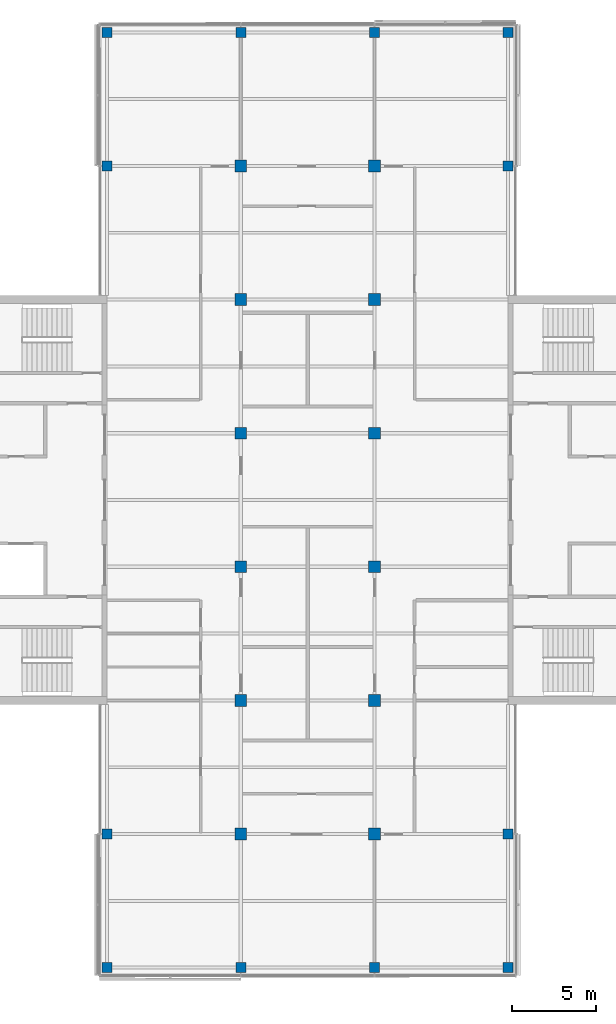
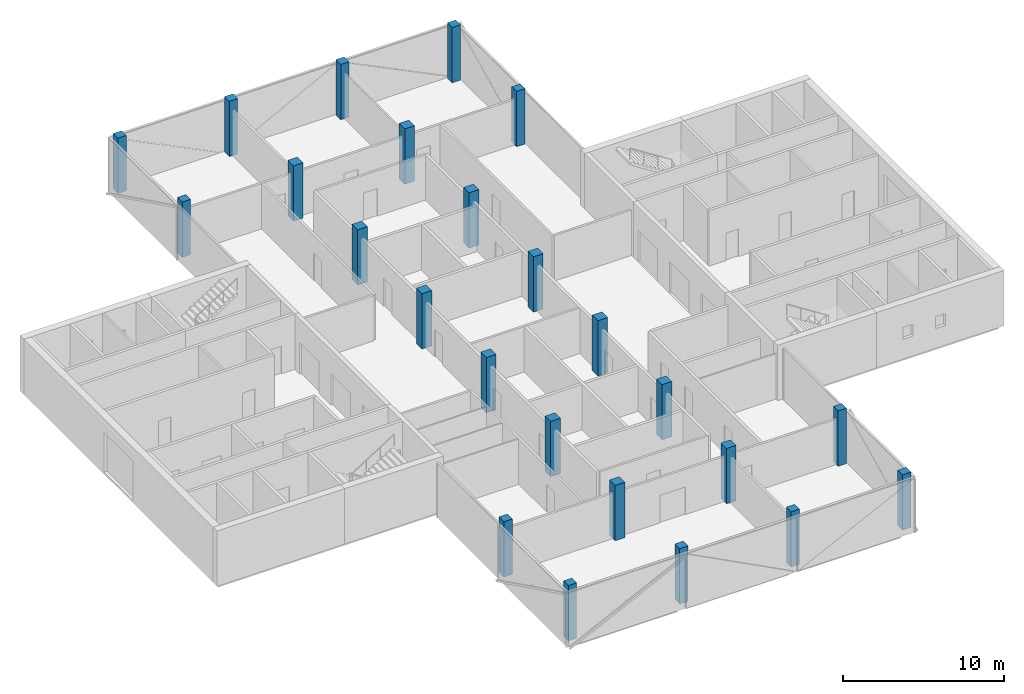
# One storey, part 1 of 16: 24 columns.
"""IFC4 building model written with IfcOpenShell, lengths in metres."""

from ifc_helpers import new_model, si_unit, direction, frame, origin, origin_2d, place, context, subcontext, project, spatial, rectangle, extrude, material, material_profile, profile_set, type_object, element, save


model = new_model("IFC4")

# Units and contexts
model_context = context("Model", 3, precision=1e-05, world=origin(), true_north=direction((0.0, 1.0)))
body_context = subcontext(model_context, "Body", "Model", "MODEL_VIEW")
ifc_project = project(units=[si_unit("LENGTHUNIT", "METRE"), si_unit("AREAUNIT", "SQUARE_METRE"), si_unit("VOLUMEUNIT", "CUBIC_METRE"), si_unit("PLANEANGLEUNIT", "RADIAN"), si_unit("MASSUNIT", "GRAM", prefix="KILO")], contexts=[model_context])

# Site, building, storey
site_placement = place(None, origin())
site = spatial("IfcSite", under=ifc_project, at=site_placement, CompositionType="ELEMENT")
building_placement = place(site_placement, origin())
building = spatial("IfcBuilding", under=site, at=building_placement, Name="Crosswind Convention Tower", CompositionType="ELEMENT")
storey_placement = place(building_placement, frame((0.0, 0.0, 282.89990234375)))
storey = spatial("IfcBuildingStorey", under=building, at=storey_placement, Name="L61", CompositionType="ELEMENT", Elevation=282.89990234375)

# Columns
ifc_material = material(Name="Concrete C60/75", Category="concrete")
ifc_material_profile_1 = material_profile(ifc_material, rectangle(XDim=0.60009765625, YDim=0.60009765625, at=origin_2d()), Name="RC 600X600")
ifc_profile_set_1 = profile_set([ifc_material_profile_1], Name="Concrete C60/75")
column_type_1 = type_object("IfcColumnType", Name="Column RC 600X600", PredefinedType="COLUMN", material=ifc_profile_set_1)
for number, where, z_axis, x_axis, name in (
    (1, (113.0, 72.0, 0.0), (0.0, 0.0, 1.0), (1.0, 0.0, 0.0), "C16 L61 5/C"),
    (2, (113.0, 80.0, 0.0), (0.0, 0.0, 1.0), (1.0, 0.0, 0.0), "C16 L61 5/D"),
    (3, (113.0, 120.0, 0.0), (0.0, 0.0, 1.0), (1.0, 0.0, 0.0), "C16 L61 5/I"),
    (4, (113.0, 128.0, 0.0), (0.0, 0.0, 1.0), (1.0, 0.0, 0.0), "C16 L61 5/J"),
    (5, (121.0, 72.0, 0.0), (0.0, 0.0, 1.0), (1.0, 0.0, 0.0), "C16 L61 6/C"),
    (6, (121.0, 128.0, 0.0), (0.0, 0.0, 1.0), (1.0, 0.0, 0.0), "C16 L61 6/J"),
    (7, (129.0, 72.0, 0.0), (0.0, 0.0, 1.0), (1.0, 0.0, 0.0), "C16 L61 7/C"),
    (8, (129.0, 128.0, 0.0), (0.0, 0.0, 1.0), (1.0, 0.0, 0.0), "C16 L61 7/J"),
    (9, (137.0, 72.0, 0.0), (0.0, 0.0, 1.0), (1.0, 0.0, 0.0), "C16 L61 8/C"),
    (10, (137.0, 80.0, 0.0), (0.0, 0.0, 1.0), (1.0, 0.0, 0.0), "C16 L61 8/D"),
    (11, (137.0, 120.0, 0.0), (0.0, 0.0, 1.0), (1.0, 0.0, 0.0), "C16 L61 8/I"),
    (12, (137.0, 128.0, 0.0), (0.0, 0.0, 1.0), (1.0, 0.0, 0.0), "C16 L61 8/J"),
):
    element("IfcColumn", number, at=place(storey_placement, frame(where, z_axis=z_axis, x_axis=x_axis)), inside=storey, type_object=column_type_1, Name=name, PredefinedType="COLUMN", context=body_context, shape_type="SweptSolid", body=[
        extrude(rectangle(XDim=0.60009765625, YDim=0.60009765625, at=origin_2d()), origin(), (0.0, 0.0, 1.0), 4.2001953125),
    ])
ifc_material_profile_2 = material_profile(ifc_material, rectangle(XDim=0.699951171875, YDim=0.699951171875, at=origin_2d()), Name="RC 700X700")
ifc_profile_set_2 = profile_set([ifc_material_profile_2], Name="Concrete C60/75")
column_type_2 = type_object("IfcColumnType", Name="Column RC 700X700", PredefinedType="COLUMN", material=ifc_profile_set_2)
for number, where, z_axis, x_axis, name in (
    (13, (121.0, 80.0, 0.0), (0.0, 0.0, 1.0), (1.0, 0.0, 0.0), "C15 L61 6/D"),
    (14, (121.0, 88.0, 0.0), (0.0, 0.0, 1.0), (1.0, 0.0, 0.0), "C15 L61 6/E"),
    (15, (121.0, 96.0, 0.0), (0.0, 0.0, 1.0), (1.0, 0.0, 0.0), "C15 L61 6/F"),
    (16, (121.0, 104.0, 0.0), (0.0, 0.0, 1.0), (1.0, 0.0, 0.0), "C15 L61 6/G"),
    (17, (121.0, 112.0, 0.0), (0.0, 0.0, 1.0), (1.0, 0.0, 0.0), "C15 L61 6/H"),
    (18, (121.0, 120.0, 0.0), (0.0, 0.0, 1.0), (1.0, 0.0, 0.0), "C15 L61 6/I"),
    (19, (129.0, 80.0, 0.0), (0.0, 0.0, 1.0), (1.0, 0.0, 0.0), "C15 L61 7/D"),
    (20, (129.0, 88.0, 0.0), (0.0, 0.0, 1.0), (1.0, 0.0, 0.0), "C15 L61 7/E"),
    (21, (129.0, 96.0, 0.0), (0.0, 0.0, 1.0), (1.0, 0.0, 0.0), "C15 L61 7/F"),
    (22, (129.0, 104.0, 0.0), (0.0, 0.0, 1.0), (1.0, 0.0, 0.0), "C15 L61 7/G"),
    (23, (129.0, 112.0, 0.0), (0.0, 0.0, 1.0), (1.0, 0.0, 0.0), "C15 L61 7/H"),
    (24, (129.0, 120.0, 0.0), (0.0, 0.0, 1.0), (1.0, 0.0, 0.0), "C15 L61 7/I"),
):
    element("IfcColumn", number, at=place(storey_placement, frame(where, z_axis=z_axis, x_axis=x_axis)), inside=storey, type_object=column_type_2, Name=name, PredefinedType="COLUMN", context=body_context, shape_type="SweptSolid", body=[
        extrude(rectangle(XDim=0.699951171875, YDim=0.699951171875, at=origin_2d()), origin(), (0.0, 0.0, 1.0), 4.2001953125),
    ])

save(model, "model.ifc")
